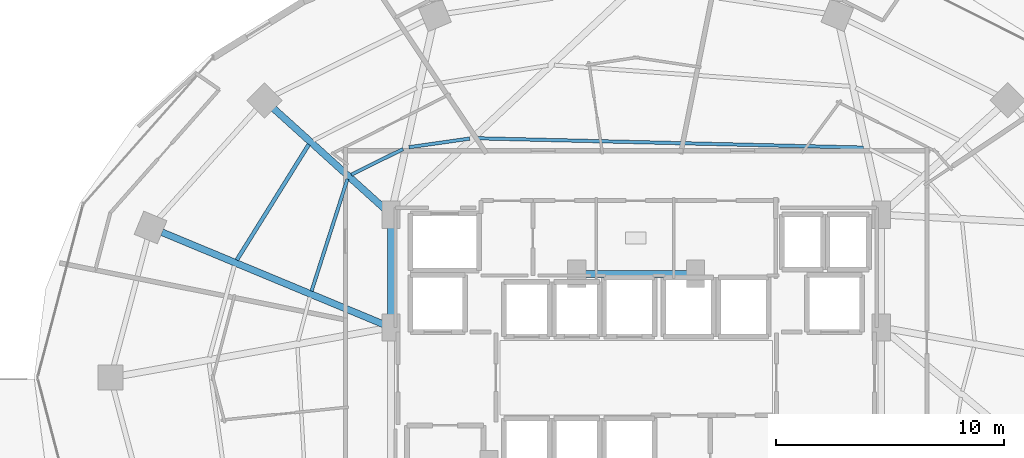
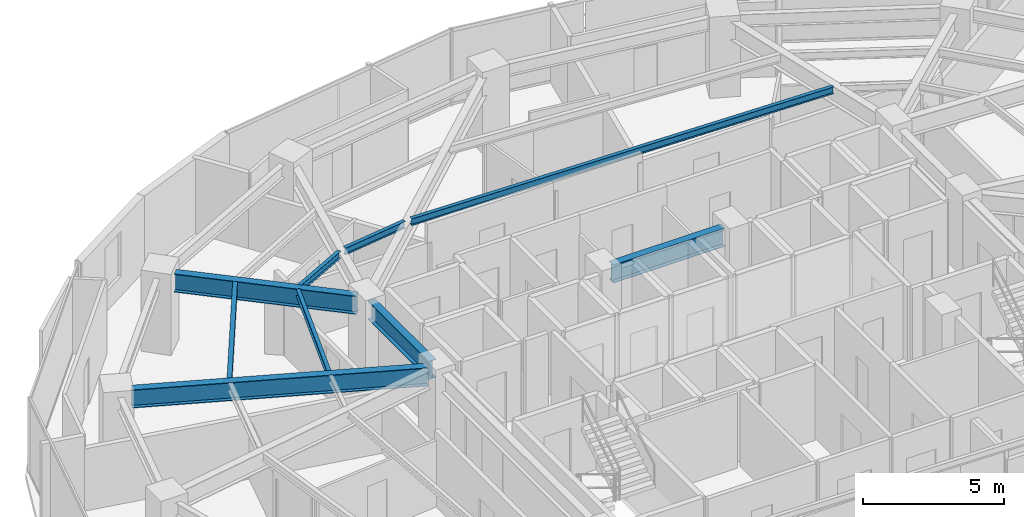
# One storey, part 10 of 30: 9 beams.
"""IFC4 building model written with IfcOpenShell, lengths in metres."""

from ifc_helpers import new_model, si_unit, direction, frame, origin, origin_2d, place, context, subcontext, project, spatial, i_section, extrude, material, material_profile, profile_set, type_object, element, save


model = new_model("IFC4")

# Units and contexts
model_context = context("Model", 3, precision=1e-05, world=origin(), true_north=direction((0.0, 1.0)))
body_context = subcontext(model_context, "Body", "Model", "MODEL_VIEW")
ifc_project = project(units=[si_unit("LENGTHUNIT", "METRE"), si_unit("AREAUNIT", "SQUARE_METRE"), si_unit("VOLUMEUNIT", "CUBIC_METRE"), si_unit("PLANEANGLEUNIT", "RADIAN"), si_unit("MASSUNIT", "GRAM", prefix="KILO")], contexts=[model_context])

# Site, building, storey
site_placement = place(None, origin())
site = spatial("IfcSite", under=ifc_project, at=site_placement, CompositionType="ELEMENT")
building_placement = place(site_placement, origin())
building = spatial("IfcBuilding", under=site, at=building_placement, Name="Vorneva Point Tower", CompositionType="ELEMENT")
storey_placement = place(building_placement, frame((0.0, 0.0, 78.800048828125)))
storey = spatial("IfcBuildingStorey", under=building, at=storey_placement, Name="L20", CompositionType="ELEMENT", Elevation=78.800048828125)

# Beams
ifc_material = material(Name="Steel S355", Category="steel")
ifc_material_profile_1 = material_profile(ifc_material, i_section(OverallWidth=0.300048828125, OverallDepth=0.7880859375, WebThickness=0.014404296875, FlangeThickness=0.02197265625, at=origin_2d()), Name="80Sh1")
ifc_profile_set_1 = profile_set([ifc_material_profile_1], Name="Steel S355")
beam_type_1 = type_object("IfcBeamType", Name="BM-GRD-80Sh1", PredefinedType="USERDEFINED", material=ifc_profile_set_1)
beam_1_placement = place(storey_placement, frame((22.100341796875, 37.801513671875, 2.845947265625), z_axis=(0.742097300344, -0.670292172729, 0.0), x_axis=(0.670292172729, 0.742097300344, 0.0)))
element("IfcBeam", 1, at=beam_1_placement, inside=storey, type_object=beam_type_1, Name="L20 Radial Primary Girder 07", ObjectType="GIRDER", PredefinedType="USERDEFINED", context=body_context, shape_type="SweptSolid", body=[
    extrude(i_section(OverallWidth=0.300048828125, OverallDepth=0.7880859375, WebThickness=0.014404296875, FlangeThickness=0.02197265625, at=origin_2d()), origin(), (0.0, 0.0, 1.0), 6.599365234375),
])
beam_2_placement = place(storey_placement, frame((17.201416015625, 32.375732421875, 2.845947265625), z_axis=(0.923444451211, -0.383732127307, 0.0), x_axis=(0.383732127307, 0.923444451211, 0.0)))
element("IfcBeam", 2, at=beam_2_placement, inside=storey, type_object=beam_type_1, Name="L20 Radial Primary Girder 08", ObjectType="GIRDER", PredefinedType="USERDEFINED", context=body_context, shape_type="SweptSolid", body=[
    extrude(i_section(OverallWidth=0.300048828125, OverallDepth=0.7880859375, WebThickness=0.014404296875, FlangeThickness=0.02197265625, at=origin_2d()), origin(), (0.0, 0.0, 1.0), 10.541748046875),
])
beam_3_placement = place(storey_placement, frame((27.25, 28.52001953125, 2.845947265625), z_axis=(0.0, 1.0, 0.0), x_axis=(-1.0, 0.0, 0.0)))
element("IfcBeam", 3, at=beam_3_placement, inside=storey, type_object=beam_type_1, Name="L20 Core Tie Girder CT2", ObjectType="GIRDER", PredefinedType="USERDEFINED", context=body_context, shape_type="SweptSolid", body=[
    extrude(i_section(OverallWidth=0.300048828125, OverallDepth=0.7880859375, WebThickness=0.014404296875, FlangeThickness=0.02197265625, at=origin_2d()), origin(), (0.0, 0.0, 1.0), 4.31005859375),
])
beam_4_placement = place(storey_placement, frame((35.719970703125, 30.550048828125, 2.845947265625), z_axis=(1.0, 0.0, 0.0), x_axis=(0.0, 1.0, 0.0)))
element("IfcBeam", 4, at=beam_4_placement, inside=storey, type_object=beam_type_1, Name="L20 Core Tie Girder CT8", ObjectType="GIRDER", PredefinedType="USERDEFINED", context=body_context, shape_type="SweptSolid", body=[
    extrude(i_section(OverallWidth=0.300048828125, OverallDepth=0.7880859375, WebThickness=0.014404296875, FlangeThickness=0.02197265625, at=origin_2d()), origin(), (0.0, 0.0, 1.0), 4.56005859375),
])
ifc_material_profile_2 = material_profile(ifc_material, i_section(OverallWidth=0.14892578125, OverallDepth=0.298095703125, WebThickness=0.005615234375, FlangeThickness=0.008056640625, at=origin_2d()), Name="30B1")
ifc_profile_set_2 = profile_set([ifc_material_profile_2], Name="Steel S355")
beam_type_2 = type_object("IfcBeamType", Name="BM-JST-30B1", PredefinedType="JOIST", material=ifc_profile_set_2)
beam_5_placement = place(storey_placement, frame((47.964599609375, 36.0869140625, 3.091064453125), z_axis=(-0.999708122341, 0.024159265841, 0.0), x_axis=(-0.024159265841, -0.999708122341, 0.0)))
element("IfcBeam", 5, at=beam_5_placement, inside=storey, type_object=beam_type_2, Name="L20 Secondary Floor Beam 2.04", PredefinedType="JOIST", context=body_context, shape_type="SweptSolid", body=[
    extrude(i_section(OverallWidth=0.14892578125, OverallDepth=0.298095703125, WebThickness=0.005615234375, FlangeThickness=0.008056640625, at=origin_2d()), origin(), (0.0, 0.0, 1.0), 16.997314453125),
])
beam_6_placement = place(storey_placement, frame((30.697509765625, 36.4814453125, 3.091064453125), z_axis=(-0.990043658135, -0.140760630101, 0.0), x_axis=(0.140760630101, -0.990043658135, 0.0)))
element("IfcBeam", 6, at=beam_6_placement, inside=storey, type_object=beam_type_2, Name="L20 Secondary Floor Beam 2.05", PredefinedType="JOIST", context=body_context, shape_type="SweptSolid", body=[
    extrude(i_section(OverallWidth=0.14892578125, OverallDepth=0.298095703125, WebThickness=0.005615234375, FlangeThickness=0.008056640625, at=origin_2d()), origin(), (0.0, 0.0, 1.0), 2.690185546875),
])
beam_7_placement = place(storey_placement, frame((27.773681640625, 36.022216796875, 3.091064453125), z_axis=(-0.896137449279, -0.443776601456, 0.0), x_axis=(0.443776601456, -0.896137449279, 0.0)))
element("IfcBeam", 7, at=beam_7_placement, inside=storey, type_object=beam_type_2, Name="L20 Secondary Floor Beam 2.06", PredefinedType="JOIST", context=body_context, shape_type="SweptSolid", body=[
    extrude(i_section(OverallWidth=0.14892578125, OverallDepth=0.298095703125, WebThickness=0.005615234375, FlangeThickness=0.008056640625, at=origin_2d()), origin(), (0.0, 0.0, 1.0), 2.53125),
])
beam_8_placement = place(storey_placement, frame((25.339599609375, 34.706298828125, 3.091064453125), z_axis=(-0.305296309303, -0.952257404028, 0.0), x_axis=(0.952257404028, -0.305296309303, 0.0)))
element("IfcBeam", 8, at=beam_8_placement, inside=storey, type_object=beam_type_2, Name="L20 Secondary Floor Beam 2.07", PredefinedType="JOIST", context=body_context, shape_type="SweptSolid", body=[
    extrude(i_section(OverallWidth=0.14892578125, OverallDepth=0.298095703125, WebThickness=0.005615234375, FlangeThickness=0.008056640625, at=origin_2d()), origin(), (0.0, 0.0, 1.0), 5.155517578125),
])
ifc_material_profile_3 = material_profile(ifc_material, i_section(OverallWidth=0.174072265625, OverallDepth=0.345947265625, WebThickness=0.006103515625, FlangeThickness=0.009033203125, at=origin_2d()), Name="35B1")
ifc_profile_set_3 = profile_set([ifc_material_profile_3], Name="Steel S355")
beam_type_3 = type_object("IfcBeamType", Name="BM-SEC-35B1", PredefinedType="BEAM", material=ifc_profile_set_3)
beam_9_placement = place(storey_placement, frame((23.6435546875, 36.224609375, 3.06689453125), z_axis=(-0.52880365784, -0.848744184931, 0.0), x_axis=(0.848744184931, -0.52880365784, 0.0)))
element("IfcBeam", 9, at=beam_9_placement, inside=storey, type_object=beam_type_3, Name="L20 Secondary Floor Beam 1.07", PredefinedType="BEAM", context=body_context, shape_type="SweptSolid", body=[
    extrude(i_section(OverallWidth=0.174072265625, OverallDepth=0.345947265625, WebThickness=0.006103515625, FlangeThickness=0.009033203125, at=origin_2d()), origin(), (0.0, 0.0, 1.0), 5.969482421875),
])

save(model, "model.ifc")
